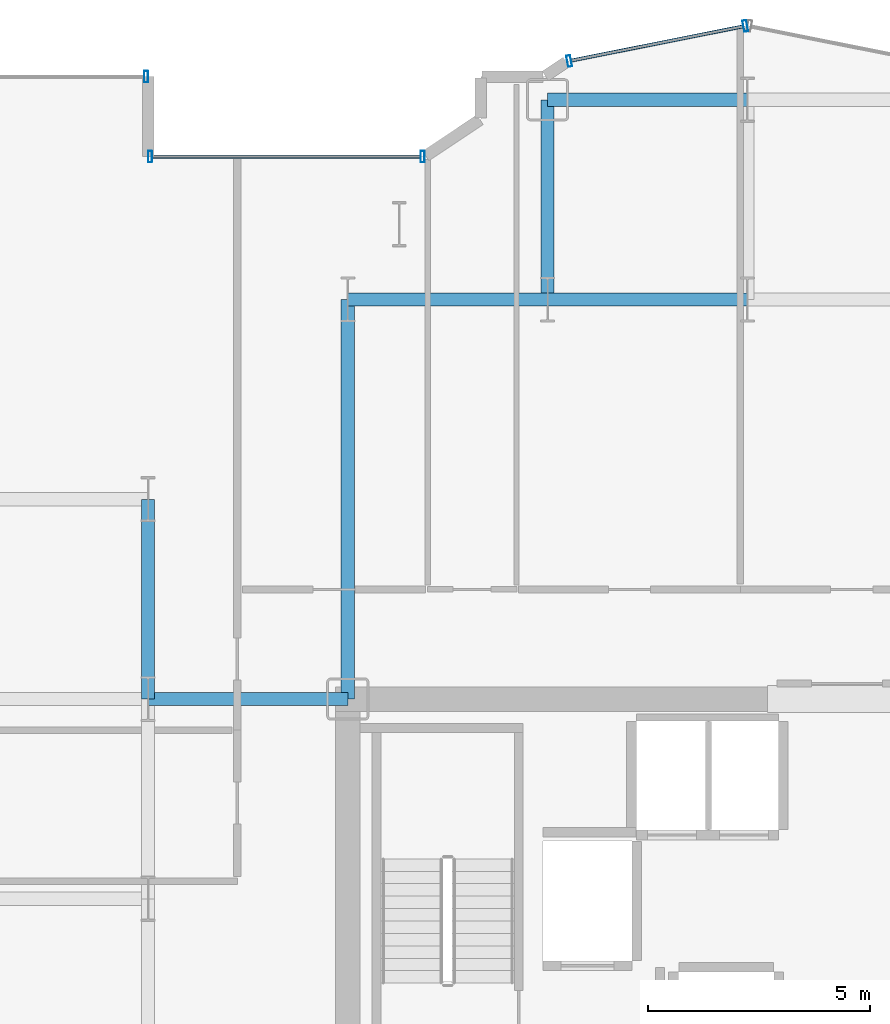
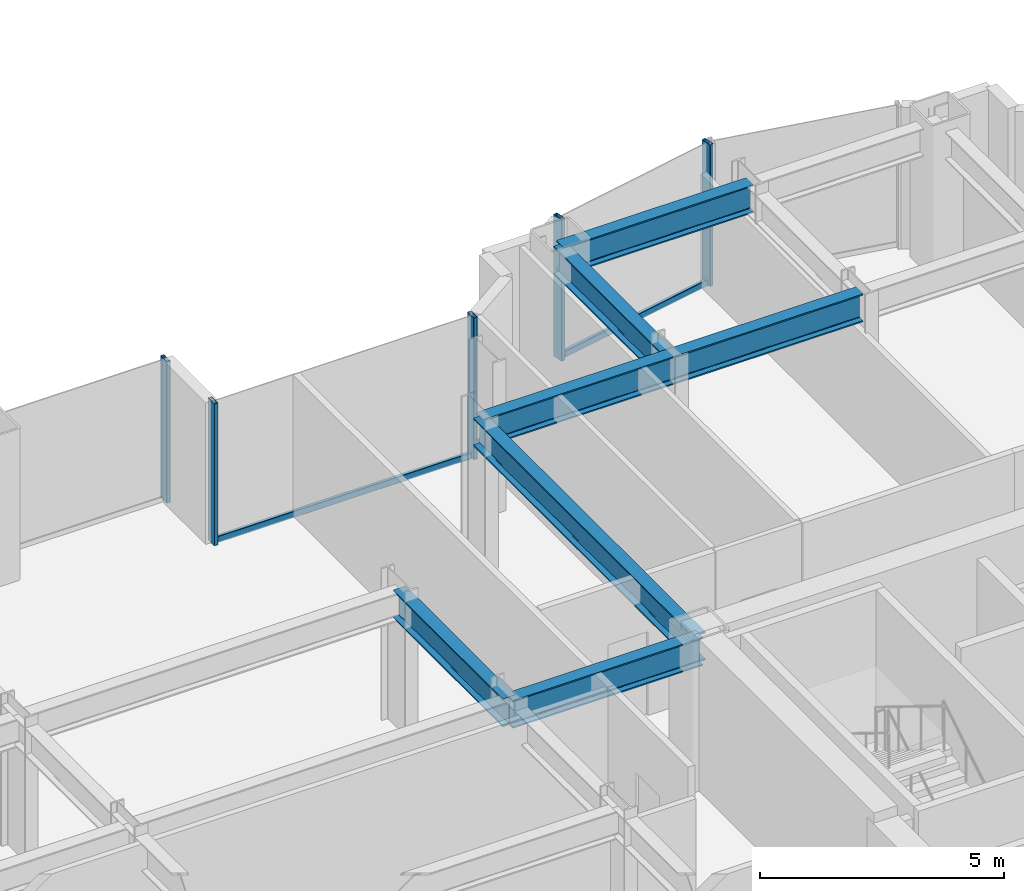
# One storey, part 10 of 26: 7 beams, 7 members, 3 elements without a shape of their own.
"""IFC4 building model written with IfcOpenShell, lengths in metres."""

from ifc_helpers import new_model, si_unit, direction, frame, origin, origin_2d, place, context, subcontext, project, spatial, hollow_rectangle, i_section, extrude, source, transform, mapped, material, layer, layer_set, material_profile, profile_set, type_object, element, aggregate, save


model = new_model("IFC4")

# Units and contexts
model_context = context("Model", 3, precision=1e-05, world=origin(), true_north=direction((0.0, 1.0)))
body_context = subcontext(model_context, "Body", "Model", "MODEL_VIEW")
ifc_project = project(units=[si_unit("LENGTHUNIT", "METRE"), si_unit("AREAUNIT", "SQUARE_METRE"), si_unit("VOLUMEUNIT", "CUBIC_METRE"), si_unit("PLANEANGLEUNIT", "RADIAN"), si_unit("MASSUNIT", "GRAM", prefix="KILO")], contexts=[model_context])

# Site, building, storey
site_placement = place(None, origin())
site = spatial("IfcSite", under=ifc_project, at=site_placement, CompositionType="ELEMENT")
building_placement = place(site_placement, origin())
building = spatial("IfcBuilding", under=site, at=building_placement, Name="Nefas-Gora Pilgrimage Tower", CompositionType="ELEMENT")
storey_placement = place(building_placement, frame((0.0, 0.0, 94.60009765625)))
storey = spatial("IfcBuildingStorey", under=building, at=storey_placement, Name="L22", CompositionType="ELEMENT", Elevation=94.60009765625)

# Beams
ifc_material_1 = material(Name="Steel S355", Category="steel")
ifc_material_profile_1 = material_profile(ifc_material_1, i_section(OverallWidth=0.300048828125, OverallDepth=0.699951171875, WebThickness=0.01708984375, FlangeThickness=0.031982421875, FilletRadius=0.027099609375, at=origin_2d()), Name="HEB 700")
ifc_profile_set_1 = profile_set([ifc_material_profile_1], Name="Steel S355")
beam_type = type_object("IfcBeamType", Name="BM-GIR-HEB700", PredefinedType="BEAM", material=ifc_profile_set_1)
shared_shape_1 = source(origin(), body_context, "Body", "SweptSolid", [
    extrude(i_section(OverallWidth=0.300048828125, OverallDepth=0.699951171875, WebThickness=0.01708984375, FlangeThickness=0.031982421875, FilletRadius=0.027099609375, at=origin_2d()), origin(), (0.0, 0.0, 1.0), 9.0),
])
beam_placement = place(storey_placement, frame((-11.25, 9.0, 3.199951171875), z_axis=(0.0, 1.0, 0.0), x_axis=(-1.0, 0.0, 0.0)))
element("IfcBeam", 1, at=beam_placement, inside=storey, type_object=beam_type, Name="L22 G-02 beam", PredefinedType="BEAM", context=body_context, shape_type="MappedRepresentation", body=[
    mapped(shared_shape_1, transform((0.0, 0.0, 0.0), x_axis=(1.0, 0.0, 0.0), y_axis=(0.0, 1.0, 0.0), z_axis=(0.0, 0.0, 1.0), scale=1.0)),
])
shared_shape_2 = source(origin(), body_context, "Body", "SweptSolid", [
    extrude(i_section(OverallWidth=0.300048828125, OverallDepth=0.699951171875, WebThickness=0.01708984375, FlangeThickness=0.031982421875, FilletRadius=0.027099609375, at=origin_2d()), origin(), (0.0, 0.0, 1.0), 4.5),
])
for number, where, z_axis, x_axis, name in (
    (2, (-15.75, 9.0, 3.199951171875), (0.0, 1.0, 0.0), (-1.0, 0.0, 0.0), "L22 G-02 beam"),
    (3, (-15.75, 9.0, 3.199951171875), (1.0, 0.0, 0.0), (0.0, 1.0, 0.0), "L22 G-02 beam"),
    (4, (-11.25, 18.0, 3.199951171875), (1.0, 0.0, 0.0), (0.0, 1.0, 0.0), "L22 G-02 beam"),
    (5, (-6.75, 18.0, 3.199951171875), (0.0, 1.0, 0.0), (-1.0, 0.0, 0.0), "L22 G-02 beam"),
    (6, (-6.75, 18.0, 3.199951171875), (1.0, 0.0, 0.0), (0.0, 1.0, 0.0), "L22 G-02 beam"),
    (7, (-6.75, 22.5, 3.199951171875), (1.0, 0.0, 0.0), (0.0, 1.0, 0.0), "L22 G-02 beam"),
):
    element("IfcBeam", number, at=place(storey_placement, frame(where, z_axis=z_axis, x_axis=x_axis)), inside=storey, type_object=beam_type, Name=name, PredefinedType="BEAM", context=body_context, shape_type="MappedRepresentation", body=[
        mapped(shared_shape_2, transform((0.0, 0.0, 0.0), x_axis=(1.0, 0.0, 0.0), y_axis=(0.0, 1.0, 0.0), z_axis=(0.0, 0.0, 1.0), scale=1.0)),
    ])

# Curtain wall, member
ifc_material_2 = material(Name="Dark ceramic-fritted solar-control aluminium-glass curtain wall", Category="aluminium")
ifc_layer_1 = layer(ifc_material_2, 0.219970703125)
ifc_layer_set_1 = layer_set([ifc_layer_1], Name="Dark ceramic-fritted solar-control aluminium-glass curtain wall")
curtain_wall_type_1 = type_object("IfcCurtainWallType", Name="CW-SYS-5", PredefinedType="NOTDEFINED", material=ifc_layer_set_1)
curtain_wall_1_placement = place(storey_placement, origin())
curtain_wall_1 = element("IfcCurtainWall", 8, at=curtain_wall_1_placement, inside=storey, type_object=curtain_wall_type_1, Name="L22 Unitised Curtain Wall CW5", PredefinedType="NOTDEFINED")
ifc_material_3 = material(Name="Anodised architectural aluminium", Category="aluminium")
ifc_material_profile_2 = material_profile(ifc_material_3, hollow_rectangle(XDim=0.080078125, YDim=0.159912109375, WallThickness=0.00439453125, InnerFilletRadius=0.00439453125, OuterFilletRadius=0.009033203125, at=origin_2d()), Name="ALU TRANSOM 80x160")
ifc_profile_set_2 = profile_set([ifc_material_profile_2], Name="Anodised architectural aluminium")
member_type_1 = type_object("IfcMemberType", Name="CWM-TRN-5", PredefinedType="USERDEFINED", material=ifc_profile_set_2)
shared_shape_3 = source(origin(), body_context, "Body", "SweptSolid", [
    extrude(hollow_rectangle(XDim=0.080078125, YDim=0.159912109375, WallThickness=0.00439453125, InnerFilletRadius=0.00439453125, OuterFilletRadius=0.009033203125, at=origin_2d()), origin(), (0.0, 0.0, 1.0), 6.052001953125),
])
member_1_placement = place(storey_placement, frame((-9.60791015625, 21.219970703125, 0.0498046875), z_axis=(-1.0, 0.0, 0.0), x_axis=(0.0, -1.0, 0.0)))
member_1 = element("IfcMember", 9, at=member_1_placement, type_object=member_type_1, Name="CW5 Spandrel Transom", ObjectType="TRANSOM", PredefinedType="USERDEFINED", context=body_context, shape_type="MappedRepresentation", body=[
    mapped(shared_shape_3, transform((0.0, 0.0, 0.0), x_axis=(1.0, 0.0, 0.0), y_axis=(0.0, 1.0, 0.0), z_axis=(0.0, 0.0, 1.0), scale=1.0)),
])

# Curtain wall, members
curtain_wall_2_placement = place(storey_placement, origin())
curtain_wall_2 = element("IfcCurtainWall", 10, at=curtain_wall_2_placement, inside=storey, type_object=curtain_wall_type_1, Name="L22 Unitised Curtain Wall CW5", PredefinedType="NOTDEFINED")
shared_shape_4 = source(origin(), body_context, "Body", "SweptSolid", [
    extrude(hollow_rectangle(XDim=0.080078125, YDim=0.159912109375, WallThickness=0.00439453125, InnerFilletRadius=0.00439453125, OuterFilletRadius=0.009033203125, at=origin_2d()), origin(), (0.0, 0.0, 1.0), 3.95654296875),
])
member_2_placement = place(storey_placement, frame((-2.33837890625, 24.15478515625, 0.0498046875), z_axis=(-0.980781880918, -0.195107411605, 0.0), x_axis=(0.195107411605, -0.980781880918, 0.0)))
member_2 = element("IfcMember", 11, at=member_2_placement, type_object=member_type_1, Name="CW5 Spandrel Transom", ObjectType="TRANSOM", PredefinedType="USERDEFINED", context=body_context, shape_type="MappedRepresentation", body=[
    mapped(shared_shape_4, transform((0.0, 0.0, 0.0), x_axis=(1.0, 0.0, 0.0), y_axis=(0.0, 1.0, 0.0), z_axis=(0.0, 0.0, 1.0), scale=1.0)),
])
ifc_material_profile_3 = material_profile(ifc_material_3, hollow_rectangle(XDim=0.090087890625, YDim=0.260009765625, WallThickness=0.006103515625, InnerFilletRadius=0.006103515625, OuterFilletRadius=0.011962890625, at=origin_2d()), Name="ALU MULLION 90x260")
ifc_profile_set_3 = profile_set([ifc_material_profile_3], Name="Anodised architectural aluminium")
member_type_2 = type_object("IfcMemberType", Name="CWM-MUL-5", PredefinedType="MULLION", material=ifc_profile_set_3)
shared_shape_5 = source(origin(), body_context, "Body", "SweptSolid", [
    extrude(hollow_rectangle(XDim=0.090087890625, YDim=0.260009765625, WallThickness=0.006103515625, InnerFilletRadius=0.006103515625, OuterFilletRadius=0.011962890625, at=origin_2d()), origin(), (0.0, 0.0, 1.0), 3.5498046875),
])
member_3_placement = place(storey_placement, frame((-2.294189453125, 24.16357421875, 0.0), z_axis=(0.0, 0.0, 1.0), x_axis=(-0.980782896852, -0.195102304554, 0.0)))
member_3 = element("IfcMember", 12, at=member_3_placement, type_object=member_type_2, Name="CW5 Mullion 1", PredefinedType="MULLION", context=body_context, shape_type="MappedRepresentation", body=[
    mapped(shared_shape_5, transform((0.0, 0.0, 0.0), x_axis=(1.0, 0.0, 0.0), y_axis=(0.0, 1.0, 0.0), z_axis=(0.0, 0.0, 1.0), scale=1.0)),
])
member_4_placement = place(storey_placement, frame((-6.26318359375, 23.3740234375, 0.0), z_axis=(0.0, 0.0, 1.0), x_axis=(-0.980782896852, -0.195102304554, 0.0)))
member_4 = element("IfcMember", 13, at=member_4_placement, type_object=member_type_2, Name="CW5 Mullion 2", PredefinedType="MULLION", context=body_context, shape_type="MappedRepresentation", body=[
    mapped(shared_shape_5, transform((0.0, 0.0, 0.0), x_axis=(1.0, 0.0, 0.0), y_axis=(0.0, 1.0, 0.0), z_axis=(0.0, 0.0, 1.0), scale=1.0)),
])
aggregate(curtain_wall_2, [member_3, member_4, member_2])

# Member
member_5_placement = place(storey_placement, frame((-9.56298828125, 21.219970703125, 0.0), z_axis=(0.0, 0.0, 1.0), x_axis=(-1.0, 0.0, 0.0)))
member_5 = element("IfcMember", 14, at=member_5_placement, type_object=member_type_2, Name="CW5 Mullion 1", PredefinedType="MULLION", context=body_context, shape_type="MappedRepresentation", body=[
    mapped(shared_shape_5, transform((0.0, 0.0, 0.0), x_axis=(1.0, 0.0, 0.0), y_axis=(0.0, 1.0, 0.0), z_axis=(0.0, 0.0, 1.0), scale=1.0)),
])

member_6_placement = place(storey_placement, frame((-15.705078125, 21.219970703125, 0.0), z_axis=(0.0, 0.0, 1.0), x_axis=(-1.0, 0.0, 0.0)))
member_6 = element("IfcMember", 15, at=member_6_placement, type_object=member_type_2, Name="CW5 Mullion 2", PredefinedType="MULLION", context=body_context, shape_type="MappedRepresentation", body=[
    mapped(shared_shape_5, transform((0.0, 0.0, 0.0), x_axis=(1.0, 0.0, 0.0), y_axis=(0.0, 1.0, 0.0), z_axis=(0.0, 0.0, 1.0), scale=1.0)),
])

aggregate(curtain_wall_1, [member_5, member_6, member_1])

# Curtain wall, member
ifc_layer_2 = layer(ifc_material_2, 0.219970703125)
ifc_layer_set_2 = layer_set([ifc_layer_2], Name="Dark ceramic-fritted solar-control aluminium-glass curtain wall")
curtain_wall_type_2 = type_object("IfcCurtainWallType", Name="CW-SYS-2", PredefinedType="NOTDEFINED", material=ifc_layer_set_2)
curtain_wall_3_placement = place(storey_placement, origin())
curtain_wall_3 = element("IfcCurtainWall", 16, at=curtain_wall_3_placement, inside=storey, type_object=curtain_wall_type_2, Name="L22 Unitised Curtain Wall CW2", PredefinedType="NOTDEFINED")
ifc_material_profile_4 = material_profile(ifc_material_3, hollow_rectangle(XDim=0.090087890625, YDim=0.260009765625, WallThickness=0.006103515625, InnerFilletRadius=0.006103515625, OuterFilletRadius=0.011962890625, at=origin_2d()), Name="ALU MULLION 90x260")
ifc_profile_set_4 = profile_set([ifc_material_profile_4], Name="Anodised architectural aluminium")
member_type_3 = type_object("IfcMemberType", Name="CWM-MUL-2", PredefinedType="MULLION", material=ifc_profile_set_4)
shared_shape_6 = source(origin(), body_context, "Body", "SweptSolid", [
    extrude(hollow_rectangle(XDim=0.090087890625, YDim=0.260009765625, WallThickness=0.006103515625, InnerFilletRadius=0.006103515625, OuterFilletRadius=0.011962890625, at=origin_2d()), origin(), (0.0, 0.0, 1.0), 3.5498046875),
])
member_7_placement = place(storey_placement, frame((-15.794921875, 23.02001953125, 0.0), z_axis=(0.0, 0.0, 1.0), x_axis=(-1.0, 0.0, 0.0)))
member_7 = element("IfcMember", 17, at=member_7_placement, type_object=member_type_3, Name="CW2 Mullion 1", PredefinedType="MULLION", context=body_context, shape_type="MappedRepresentation", body=[
    mapped(shared_shape_6, transform((0.0, 0.0, 0.0), x_axis=(1.0, 0.0, 0.0), y_axis=(0.0, 1.0, 0.0), z_axis=(0.0, 0.0, 1.0), scale=1.0)),
])
aggregate(curtain_wall_3, [member_7])

save(model, "model.ifc")
